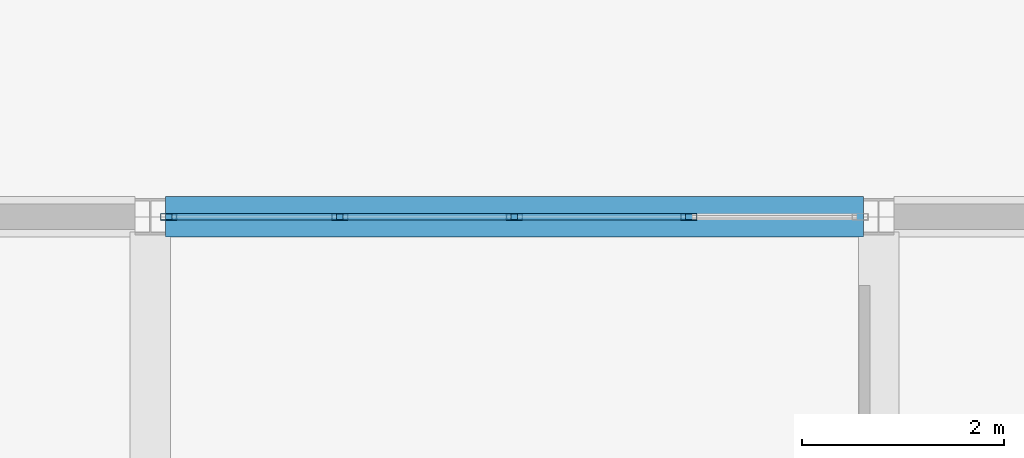
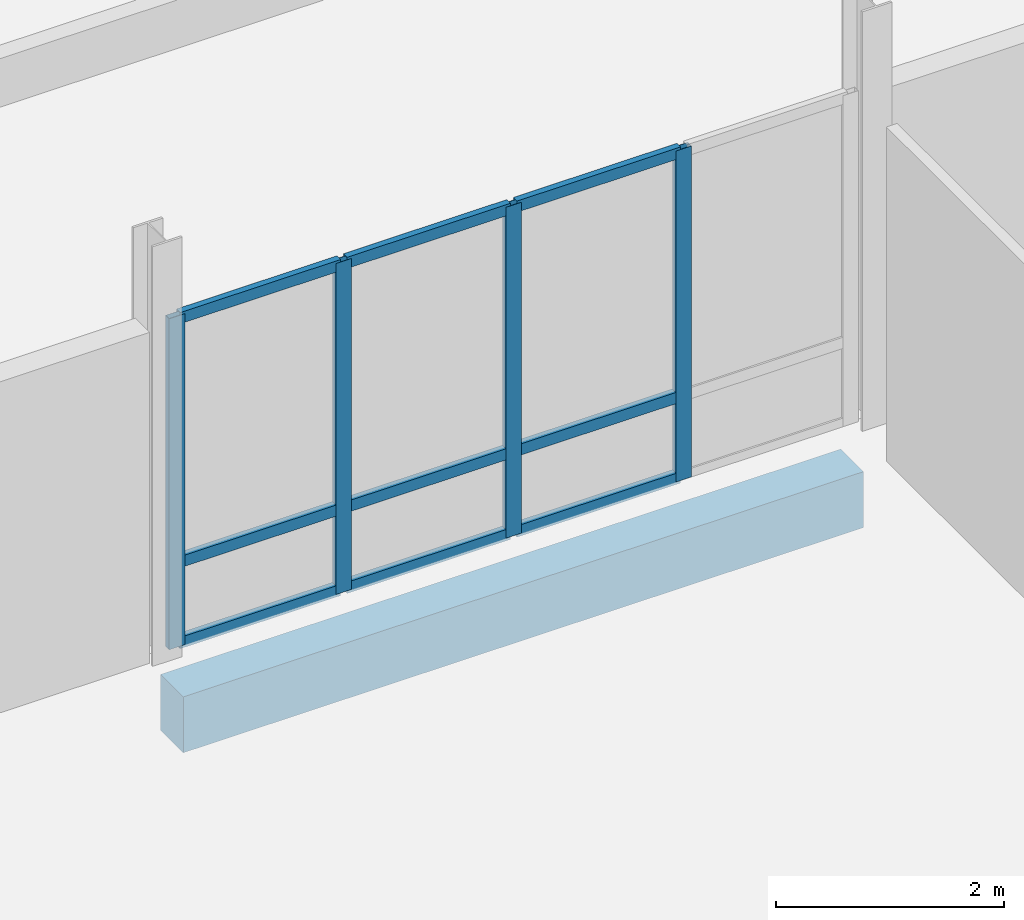
# One storey, part 85 of 139: 13 members, 1 beam, 1 element without a shape of its own.
"""IFC4 building model written with IfcOpenShell, lengths in metres."""

import ifcopenshell
import ifcopenshell.guid

model = None  # the IFC model being written
_history = None  # IfcOwnerHistory: only IFC2X3 demands one
_inside = {}  # id of a spatial element -> (the spatial element, [elements in it])
_under = {}  # id of a project, library or spatial element -> (it, [spatial elements below it])
_declared = {}  # id of a project -> (the project, [libraries it declares])
_typed = {}  # id of a type object -> (the type object, [elements of that type])
_made_of = {}  # id of a material, layer set ... -> (it, [elements and type objects made of it])


def new_model(schema):
    """Start an empty IFC model of exactly this schema.

    Asked for "IFC4X3", IfcOpenShell would pick the latest addendum, in which some entities
    have other attributes; the version numbers below select the first issue.
    IFC2X3 requires an IfcOwnerHistory on every rooted entity: one is made here for all.
    """
    global model, _history
    if schema == "IFC4X3":
        model = ifcopenshell.file(schema_version=(4, 3, 0, 0))
    else:
        model = ifcopenshell.file(schema=schema)
    _inside.clear()
    _under.clear()
    _declared.clear()
    _typed.clear()
    _made_of.clear()
    _history = None
    if model.schema == "IFC2X3":
        org = make("IfcOrganization", Name="unknown")
        user = make(
            "IfcPersonAndOrganization",
            ThePerson=make("IfcPerson", FamilyName="unknown"),
            TheOrganization=org,
        )
        app = make(
            "IfcApplication",
            ApplicationDeveloper=org,
            Version="unknown",
            ApplicationFullName="unknown",
            ApplicationIdentifier="unknown",
        )
        _history = make(
            "IfcOwnerHistory",
            OwningUser=user,
            OwningApplication=app,
            ChangeAction="ADDED",
            CreationDate=0,
        )
    return model


def make(cls, **values):
    """One entity of the class cls with the attributes given. An attribute that is None is left unset."""
    return model.create_entity(
        cls, **{name: value for name, value in values.items() if value is not None}
    )


def rooted(cls, **values):
    """An entity with a GlobalId (a new one), such as an element, a storey or a relation."""
    return make(cls, GlobalId=ifcopenshell.guid.new(), OwnerHistory=_history, **values)


def si_unit(unit_type, name, prefix=None):
    """IfcSIUnit, for example si_unit("LENGTHUNIT", "METRE", prefix="MILLI")."""
    return make("IfcSIUnit", UnitType=unit_type, Prefix=prefix, Name=name)


def assignment(units):
    """IfcUnitAssignment: the units of a project."""
    return None if units is None else make("IfcUnitAssignment", Units=units)


def point(xyz):
    """IfcCartesianPoint."""
    return None if xyz is None else make("IfcCartesianPoint", Coordinates=xyz)


def direction(xyz):
    """IfcDirection."""
    return None if xyz is None else make("IfcDirection", DirectionRatios=xyz)


def frame(location, z_axis=None, x_axis=None):
    """IfcAxis2Placement3D, a coordinate frame: its origin and axes. An axis left out is left unset."""
    return make(
        "IfcAxis2Placement3D",
        Location=point(location),
        Axis=direction(z_axis),
        RefDirection=direction(x_axis),
    )


def frame_2d(location, x_axis=None):
    """IfcAxis2Placement2D, a coordinate frame in the plane: its origin and x axis."""
    return make(
        "IfcAxis2Placement2D", Location=point(location), RefDirection=direction(x_axis)
    )


def origin():
    """The frame at (0, 0, 0) with its axes left unset."""
    return frame((0.0, 0.0, 0.0))


def origin_2d():
    """The frame at (0, 0) in the plane with its x axis left unset."""
    return frame_2d((0.0, 0.0))


def place(relative_to, where):
    """IfcLocalPlacement: puts the frame where relative to a parent placement (None: the world)."""
    return make(
        "IfcLocalPlacement", PlacementRelTo=relative_to, RelativePlacement=where
    )


def context(
    kind, dimensions, precision=None, world=None, true_north=None, identifier=None
):
    """IfcGeometricRepresentationContext, for example the 3D "Model" context."""
    return make(
        "IfcGeometricRepresentationContext",
        ContextIdentifier=identifier,
        ContextType=kind,
        CoordinateSpaceDimension=dimensions,
        Precision=precision,
        WorldCoordinateSystem=world,
        TrueNorth=true_north,
    )


def subcontext(parent, identifier, kind, view, scale=None):
    """IfcGeometricRepresentationSubContext, for example "Body" below "Model"."""
    return make(
        "IfcGeometricRepresentationSubContext",
        ContextIdentifier=identifier,
        ContextType=kind,
        ParentContext=parent,
        TargetScale=scale,
        TargetView=view,
    )


def project(units=None, contexts=None):
    """IfcProject with its units and contexts."""
    return rooted(
        "IfcProject",
        Name="project",
        RepresentationContexts=contexts,
        UnitsInContext=assignment(units),
    )


def spatial(cls, under=None, at=None, **own):
    """A site, building, storey or space (cls), placed at a placement, below another one or the project."""
    s = rooted(cls, ObjectPlacement=at, **own)
    if under is not None:
        _under.setdefault(under.id(), (under, []))[1].append(s)
    return s


def profile(cls, at=None, kind="AREA", **sizes):
    """A parametric profile (cls). Its sizes go by their IFC names, for example OverallWidth=200.0."""
    return make(cls, ProfileType=kind, Position=at, **sizes)


def rectangle(**sizes):
    """IfcRectangleProfileDef."""
    return profile("IfcRectangleProfileDef", **sizes)


def hollow_rectangle(**sizes):
    """IfcRectangleHollowProfileDef."""
    return profile("IfcRectangleHollowProfileDef", **sizes)


def extrude(swept, where, along, depth):
    """IfcExtrudedAreaSolid: the profile swept, set in the frame where, extruded along a direction by depth."""
    return make(
        "IfcExtrudedAreaSolid",
        SweptArea=swept,
        Position=where,
        ExtrudedDirection=direction(along),
        Depth=depth,
    )


def shape(context_of_items, identifier, shape_type, items):
    """IfcShapeRepresentation: the items that make up one representation, for example the "Body"."""
    return make(
        "IfcShapeRepresentation",
        ContextOfItems=context_of_items,
        RepresentationIdentifier=identifier,
        RepresentationType=shape_type,
        Items=items,
    )


def material(Name=None, Category=None):
    """IfcMaterial."""
    return make("IfcMaterial", Name=Name, Category=Category)


def material_profile(
    of_material, cross_section, Name=None, Category=None, Priority=None
):
    """IfcMaterialProfile: a cross section and its material."""
    return make(
        "IfcMaterialProfile",
        Name=Name,
        Material=of_material,
        Profile=cross_section,
        Priority=Priority,
        Category=Category,
    )


def profile_set(profiles, Name=None, composite=None):
    """IfcMaterialProfileSet."""
    return make(
        "IfcMaterialProfileSet",
        Name=Name,
        MaterialProfiles=profiles,
        CompositeProfile=composite,
    )


def made_of(thing, what):
    """Note that an element or type object is made of a material, layer set ...; save() writes the relation."""
    if what is not None:
        _made_of.setdefault(what.id(), (what, []))[1].append(thing)
    return thing


def type_object(cls, material=None, **own):
    """A type object (cls), such as IfcWallType, which elements share."""
    return made_of(rooted(cls, **own), material)


def element(
    cls,
    number,
    at=None,
    inside=None,
    cuts=None,
    type_object=None,
    material=None,
    context=None,
    identifier="Body",
    shape_type=None,
    held_by="IfcProductDefinitionShape",
    body=None,
    shapes=None,
    **own,
):
    """One element of the class cls, such as IfcWall. Its Tag is "e" and its number.

    at: its placement. inside: the storey or other place that contains it. cuts: it is an
    opening in that element (IfcRelVoidsElement). A single representation is given by context,
    identifier, shape_type and body (its items); several are given by shapes. held_by: the class
    of the entity that holds the representations. save() writes the other relations.
    """
    e = rooted(cls, Tag="e%d" % number, ObjectPlacement=at, **own)
    if body is not None:
        shapes = [shape(context, identifier, shape_type, body)]
    if shapes is not None:
        e.Representation = make(held_by, Representations=shapes)
    if inside is not None:
        _inside.setdefault(inside.id(), (inside, []))[1].append(e)
    if cuts is not None:
        rooted(
            "IfcRelVoidsElement", RelatingBuildingElement=cuts, RelatedOpeningElement=e
        )
    if type_object is not None:
        _typed.setdefault(type_object.id(), (type_object, []))[1].append(e)
    return made_of(e, material)


def aggregate(whole, parts):
    """IfcRelAggregates: a whole, such as a stair, and the parts it consists of."""
    return rooted("IfcRelAggregates", RelatingObject=whole, RelatedObjects=parts)


def save(model, path):
    """Write the relations noted so far, then the file.

    IfcRelAggregates (storeys below a building ...), IfcRelContainedInSpatialStructure (elements
    in a storey), IfcRelDefinesByType, IfcRelAssociatesMaterial and IfcRelDeclares: one each for
    every whole, place, type object, material and project.
    """
    for whole, parts in _under.values():
        aggregate(whole, parts)
    for where, things in _inside.values():
        rooted(
            "IfcRelContainedInSpatialStructure",
            RelatedElements=things,
            RelatingStructure=where,
        )
    for kind, things in _typed.values():
        rooted("IfcRelDefinesByType", RelatedObjects=things, RelatingType=kind)
    for what, things in _made_of.values():
        rooted("IfcRelAssociatesMaterial", RelatedObjects=things, RelatingMaterial=what)
    for by, libraries in _declared.values():
        rooted("IfcRelDeclares", RelatingContext=by, RelatedDefinitions=libraries)
    model.write(path)


model = new_model("IFC4")

# Units and contexts
model_context = context("Model", 3, precision=1e-05, world=origin(), true_north=direction((0.0, 1.0)))
body_context = subcontext(model_context, "Body", "Model", "MODEL_VIEW")
ifc_project = project(units=[si_unit("LENGTHUNIT", "METRE"), si_unit("AREAUNIT", "SQUARE_METRE"), si_unit("VOLUMEUNIT", "CUBIC_METRE"), si_unit("PLANEANGLEUNIT", "RADIAN"), si_unit("MASSUNIT", "GRAM", prefix="KILO")], contexts=[model_context])

# Site, building, storey
site_placement = place(None, origin())
site = spatial("IfcSite", under=ifc_project, at=site_placement, CompositionType="ELEMENT")
building_placement = place(site_placement, origin())
building = spatial("IfcBuilding", under=site, at=building_placement, Name="Suanplinth Sawtooth Commons", CompositionType="ELEMENT")
storey_placement = place(building_placement, origin())
storey = spatial("IfcBuildingStorey", under=building, at=storey_placement, Name="L00", CompositionType="ELEMENT", Elevation=0.0)

# Beam
ifc_material_1 = material(Name="Precast concrete C40/50", Category="concrete")
ifc_material_profile_1 = material_profile(ifc_material_1, rectangle(XDim=0.39990234375, YDim=0.60009765625, at=origin_2d()), Name="PC-GDR 400x600")
ifc_profile_set_1 = profile_set([ifc_material_profile_1], Name="Precast concrete C40/50")
beam_type = type_object("IfcBeamType", Name="B-05", PredefinedType="USERDEFINED", material=ifc_profile_set_1)
beam_placement = place(storey_placement, frame((136.949951171875, 72.0, -0.719970703125), z_axis=(1.0, 0.0, 0.0), x_axis=(0.0, 1.0, 0.0)))
element("IfcBeam", 1, at=beam_placement, inside=storey, type_object=beam_type, Name="BMX-L00-NURS-19-10", ObjectType="GIRDER", PredefinedType="USERDEFINED", context=body_context, shape_type="SweptSolid", body=[
    extrude(rectangle(XDim=0.39990234375, YDim=0.60009765625, at=origin_2d()), origin(), (0.0, 0.0, 1.0), 6.900146484375),
])

# Curtain wall, members
ifc_material_2 = material(Name="Anodized aluminium and low-E glazing", Category="aluminium")
curtain_wall_type = type_object("IfcCurtainWallType", Name="CW-02", PredefinedType="USERDEFINED", material=ifc_material_2)
curtain_wall_placement = place(storey_placement, origin())
curtain_wall = element("IfcCurtainWall", 2, at=curtain_wall_placement, inside=storey, type_object=curtain_wall_type, Name="Curtain Wall CW-L00-NURS-N-19", ObjectType="CURTAIN WALL", PredefinedType="USERDEFINED")
ifc_material_3 = material(Name="Anodized aluminium 6063-T6", Category="aluminium")
ifc_material_profile_2 = material_profile(ifc_material_3, hollow_rectangle(XDim=0.06494140625, YDim=0.159912109375, WallThickness=0.00390625, at=origin_2d()), Name="ALU-MUL 65x160")
ifc_profile_set_2 = profile_set([ifc_material_profile_2], Name="Anodized aluminium 6063-T6")
member_type_1 = type_object("IfcMemberType", Name="M-13", PredefinedType="MULLION", material=ifc_profile_set_2)
member_1_placement = place(storey_placement, frame((136.982421875, 72.0, 0.0), z_axis=(0.0, 0.0, 1.0), x_axis=(0.0, 1.0, 0.0)))
member_1 = element("IfcMember", 3, at=member_1_placement, type_object=member_type_1, Name="CW-02 mullion 1", PredefinedType="MULLION", context=body_context, shape_type="SweptSolid", body=[
    extrude(hollow_rectangle(XDim=0.06494140625, YDim=0.159912109375, WallThickness=0.00390625, at=origin_2d()), origin(), (0.0, 0.0, 1.0), 3.550048828125),
])
member_2_placement = place(storey_placement, frame((138.675048828125, 72.0, 0.0), z_axis=(0.0, 0.0, 1.0), x_axis=(0.0, 1.0, 0.0)))
member_2 = element("IfcMember", 4, at=member_2_placement, type_object=member_type_1, Name="CW-02 mullion 2", PredefinedType="MULLION", context=body_context, shape_type="SweptSolid", body=[
    extrude(hollow_rectangle(XDim=0.06494140625, YDim=0.159912109375, WallThickness=0.00390625, at=origin_2d()), origin(), (0.0, 0.0, 1.0), 3.550048828125),
])
member_3_placement = place(storey_placement, frame((140.39990234375, 72.0, 0.0), z_axis=(0.0, 0.0, 1.0), x_axis=(0.0, 1.0, 0.0)))
member_3 = element("IfcMember", 5, at=member_3_placement, type_object=member_type_1, Name="CW-02 mullion 3", PredefinedType="MULLION", context=body_context, shape_type="SweptSolid", body=[
    extrude(hollow_rectangle(XDim=0.06494140625, YDim=0.159912109375, WallThickness=0.00390625, at=origin_2d()), origin(), (0.0, 0.0, 1.0), 3.550048828125),
])
member_4_placement = place(storey_placement, frame((142.125, 72.0, 0.0), z_axis=(0.0, 0.0, 1.0), x_axis=(0.0, 1.0, 0.0)))
member_4 = element("IfcMember", 6, at=member_4_placement, type_object=member_type_1, Name="CW-02 mullion 4", PredefinedType="MULLION", context=body_context, shape_type="SweptSolid", body=[
    extrude(hollow_rectangle(XDim=0.06494140625, YDim=0.159912109375, WallThickness=0.00390625, at=origin_2d()), origin(), (0.0, 0.0, 1.0), 3.550048828125),
])
ifc_material_profile_3 = material_profile(ifc_material_3, hollow_rectangle(XDim=0.06494140625, YDim=0.1201171875, WallThickness=0.00390625, at=origin_2d()), Name="ALU-TRN 65x120")
ifc_profile_set_3 = profile_set([ifc_material_profile_3], Name="Anodized aluminium 6063-T6")
member_type_2 = type_object("IfcMemberType", Name="M-15", PredefinedType="USERDEFINED", material=ifc_profile_set_3)
member_5_placement = place(storey_placement, frame((137.014892578125, 72.0, 0.032470703125), z_axis=(1.0, 0.0, 0.0), x_axis=(0.0, 1.0, 0.0)))
member_5 = element("IfcMember", 7, at=member_5_placement, type_object=member_type_2, Name="CW-02 transom 1.1", ObjectType="TRANSOM", PredefinedType="USERDEFINED", context=body_context, shape_type="SweptSolid", body=[
    extrude(hollow_rectangle(XDim=0.06494140625, YDim=0.1201171875, WallThickness=0.00390625, at=origin_2d()), origin(), (0.0, 0.0, 1.0), 1.627685546875),
])
member_6_placement = place(storey_placement, frame((137.014892578125, 72.0, 0.89990234375), z_axis=(1.0, 0.0, 0.0), x_axis=(0.0, 1.0, 0.0)))
member_6 = element("IfcMember", 8, at=member_6_placement, type_object=member_type_2, Name="CW-02 transom 1.2", ObjectType="TRANSOM", PredefinedType="USERDEFINED", context=body_context, shape_type="SweptSolid", body=[
    extrude(hollow_rectangle(XDim=0.06494140625, YDim=0.1201171875, WallThickness=0.00390625, at=origin_2d()), origin(), (0.0, 0.0, 1.0), 1.627685546875),
])
member_7_placement = place(storey_placement, frame((137.014892578125, 72.0, 3.517578125), z_axis=(1.0, 0.0, 0.0), x_axis=(0.0, 1.0, 0.0)))
member_7 = element("IfcMember", 9, at=member_7_placement, type_object=member_type_2, Name="CW-02 transom 1.3", ObjectType="TRANSOM", PredefinedType="USERDEFINED", context=body_context, shape_type="SweptSolid", body=[
    extrude(hollow_rectangle(XDim=0.06494140625, YDim=0.1201171875, WallThickness=0.00390625, at=origin_2d()), origin(), (0.0, 0.0, 1.0), 1.627685546875),
])
member_8_placement = place(storey_placement, frame((138.70751953125, 72.0, 0.032470703125), z_axis=(1.0, 0.0, 0.0), x_axis=(0.0, 1.0, 0.0)))
member_8 = element("IfcMember", 10, at=member_8_placement, type_object=member_type_2, Name="CW-02 transom 2.1", ObjectType="TRANSOM", PredefinedType="USERDEFINED", context=body_context, shape_type="SweptSolid", body=[
    extrude(hollow_rectangle(XDim=0.06494140625, YDim=0.1201171875, WallThickness=0.00390625, at=origin_2d()), origin(), (0.0, 0.0, 1.0), 1.659912109375),
])
member_9_placement = place(storey_placement, frame((138.70751953125, 72.0, 0.89990234375), z_axis=(1.0, 0.0, 0.0), x_axis=(0.0, 1.0, 0.0)))
member_9 = element("IfcMember", 11, at=member_9_placement, type_object=member_type_2, Name="CW-02 transom 2.2", ObjectType="TRANSOM", PredefinedType="USERDEFINED", context=body_context, shape_type="SweptSolid", body=[
    extrude(hollow_rectangle(XDim=0.06494140625, YDim=0.1201171875, WallThickness=0.00390625, at=origin_2d()), origin(), (0.0, 0.0, 1.0), 1.659912109375),
])
member_10_placement = place(storey_placement, frame((138.70751953125, 72.0, 3.517578125), z_axis=(1.0, 0.0, 0.0), x_axis=(0.0, 1.0, 0.0)))
member_10 = element("IfcMember", 12, at=member_10_placement, type_object=member_type_2, Name="CW-02 transom 2.3", ObjectType="TRANSOM", PredefinedType="USERDEFINED", context=body_context, shape_type="SweptSolid", body=[
    extrude(hollow_rectangle(XDim=0.06494140625, YDim=0.1201171875, WallThickness=0.00390625, at=origin_2d()), origin(), (0.0, 0.0, 1.0), 1.659912109375),
])
member_11_placement = place(storey_placement, frame((140.4326171875, 72.0, 0.032470703125), z_axis=(1.0, 0.0, 0.0), x_axis=(0.0, 1.0, 0.0)))
member_11 = element("IfcMember", 13, at=member_11_placement, type_object=member_type_2, Name="CW-02 transom 3.1", ObjectType="TRANSOM", PredefinedType="USERDEFINED", context=body_context, shape_type="SweptSolid", body=[
    extrude(hollow_rectangle(XDim=0.06494140625, YDim=0.1201171875, WallThickness=0.00390625, at=origin_2d()), origin(), (0.0, 0.0, 1.0), 1.659912109375),
])
member_12_placement = place(storey_placement, frame((140.4326171875, 72.0, 0.89990234375), z_axis=(1.0, 0.0, 0.0), x_axis=(0.0, 1.0, 0.0)))
member_12 = element("IfcMember", 14, at=member_12_placement, type_object=member_type_2, Name="CW-02 transom 3.2", ObjectType="TRANSOM", PredefinedType="USERDEFINED", context=body_context, shape_type="SweptSolid", body=[
    extrude(hollow_rectangle(XDim=0.06494140625, YDim=0.1201171875, WallThickness=0.00390625, at=origin_2d()), origin(), (0.0, 0.0, 1.0), 1.659912109375),
])
member_13_placement = place(storey_placement, frame((140.4326171875, 72.0, 3.517578125), z_axis=(1.0, 0.0, 0.0), x_axis=(0.0, 1.0, 0.0)))
member_13 = element("IfcMember", 15, at=member_13_placement, type_object=member_type_2, Name="CW-02 transom 3.3", ObjectType="TRANSOM", PredefinedType="USERDEFINED", context=body_context, shape_type="SweptSolid", body=[
    extrude(hollow_rectangle(XDim=0.06494140625, YDim=0.1201171875, WallThickness=0.00390625, at=origin_2d()), origin(), (0.0, 0.0, 1.0), 1.659912109375),
])
aggregate(curtain_wall, [member_1, member_2, member_3, member_4, member_5, member_6, member_7, member_8, member_9, member_10, member_11, member_12, member_13])

save(model, "model.ifc")
